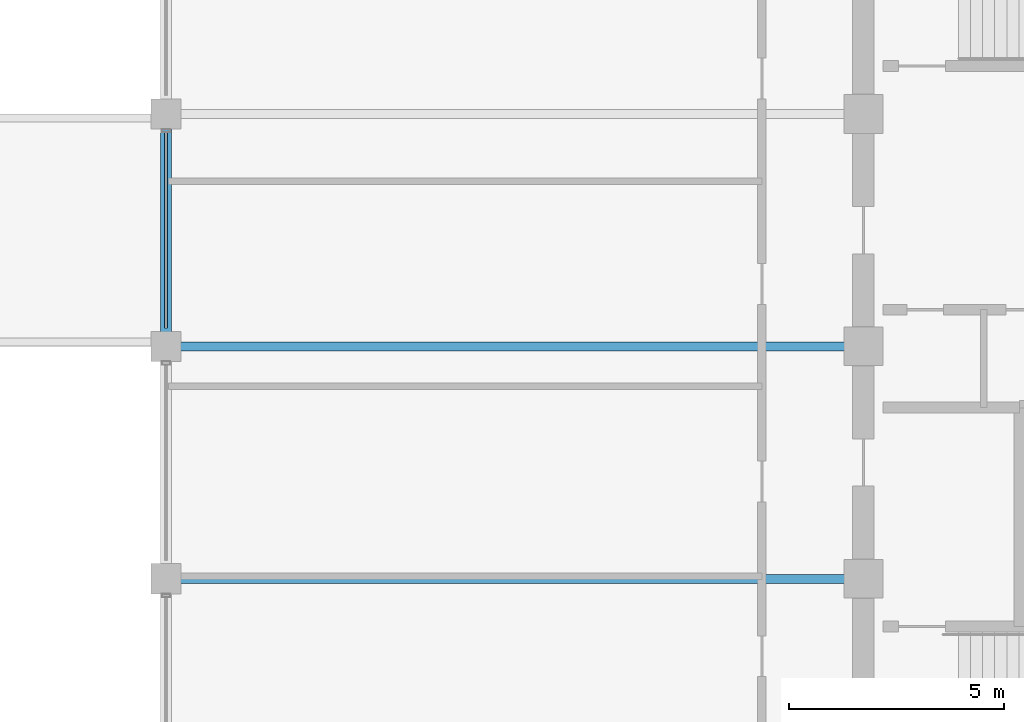
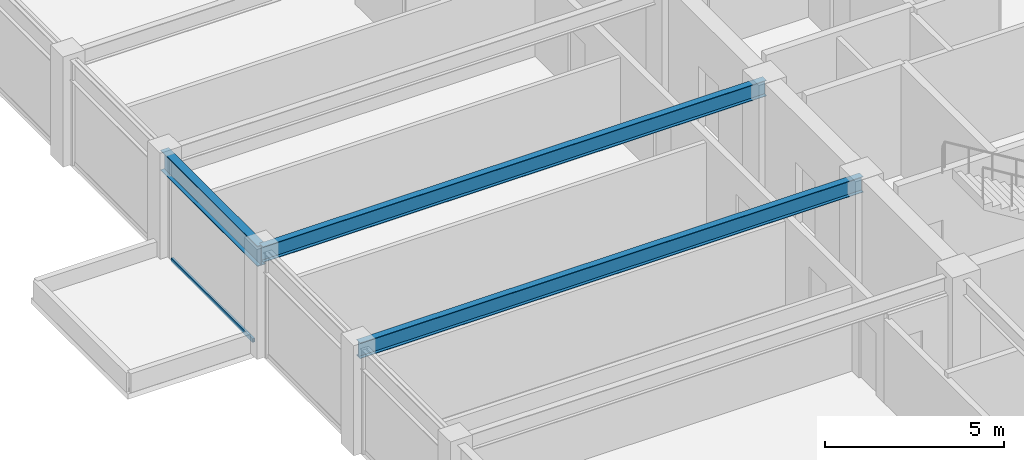
# One storey, part 7 of 29: 3 beams, 1 member, 1 element without a shape of its own.
"""IFC4 building model written with IfcOpenShell, lengths in metres."""

import ifcopenshell
import ifcopenshell.guid

model = None  # the IFC model being written
_history = None  # IfcOwnerHistory: only IFC2X3 demands one
_inside = {}  # id of a spatial element -> (the spatial element, [elements in it])
_under = {}  # id of a project, library or spatial element -> (it, [spatial elements below it])
_declared = {}  # id of a project -> (the project, [libraries it declares])
_typed = {}  # id of a type object -> (the type object, [elements of that type])
_made_of = {}  # id of a material, layer set ... -> (it, [elements and type objects made of it])


def new_model(schema):
    """Start an empty IFC model of exactly this schema.

    Asked for "IFC4X3", IfcOpenShell would pick the latest addendum, in which some entities
    have other attributes; the version numbers below select the first issue.
    IFC2X3 requires an IfcOwnerHistory on every rooted entity: one is made here for all.
    """
    global model, _history
    if schema == "IFC4X3":
        model = ifcopenshell.file(schema_version=(4, 3, 0, 0))
    else:
        model = ifcopenshell.file(schema=schema)
    _inside.clear()
    _under.clear()
    _declared.clear()
    _typed.clear()
    _made_of.clear()
    _history = None
    if model.schema == "IFC2X3":
        org = make("IfcOrganization", Name="unknown")
        user = make(
            "IfcPersonAndOrganization",
            ThePerson=make("IfcPerson", FamilyName="unknown"),
            TheOrganization=org,
        )
        app = make(
            "IfcApplication",
            ApplicationDeveloper=org,
            Version="unknown",
            ApplicationFullName="unknown",
            ApplicationIdentifier="unknown",
        )
        _history = make(
            "IfcOwnerHistory",
            OwningUser=user,
            OwningApplication=app,
            ChangeAction="ADDED",
            CreationDate=0,
        )
    return model


def make(cls, **values):
    """One entity of the class cls with the attributes given. An attribute that is None is left unset."""
    return model.create_entity(
        cls, **{name: value for name, value in values.items() if value is not None}
    )


def rooted(cls, **values):
    """An entity with a GlobalId (a new one), such as an element, a storey or a relation."""
    return make(cls, GlobalId=ifcopenshell.guid.new(), OwnerHistory=_history, **values)


def si_unit(unit_type, name, prefix=None):
    """IfcSIUnit, for example si_unit("LENGTHUNIT", "METRE", prefix="MILLI")."""
    return make("IfcSIUnit", UnitType=unit_type, Prefix=prefix, Name=name)


def assignment(units):
    """IfcUnitAssignment: the units of a project."""
    return None if units is None else make("IfcUnitAssignment", Units=units)


def point(xyz):
    """IfcCartesianPoint."""
    return None if xyz is None else make("IfcCartesianPoint", Coordinates=xyz)


def direction(xyz):
    """IfcDirection."""
    return None if xyz is None else make("IfcDirection", DirectionRatios=xyz)


def frame(location, z_axis=None, x_axis=None):
    """IfcAxis2Placement3D, a coordinate frame: its origin and axes. An axis left out is left unset."""
    return make(
        "IfcAxis2Placement3D",
        Location=point(location),
        Axis=direction(z_axis),
        RefDirection=direction(x_axis),
    )


def frame_2d(location, x_axis=None):
    """IfcAxis2Placement2D, a coordinate frame in the plane: its origin and x axis."""
    return make(
        "IfcAxis2Placement2D", Location=point(location), RefDirection=direction(x_axis)
    )


def origin():
    """The frame at (0, 0, 0) with its axes left unset."""
    return frame((0.0, 0.0, 0.0))


def origin_2d():
    """The frame at (0, 0) in the plane with its x axis left unset."""
    return frame_2d((0.0, 0.0))


def place(relative_to, where):
    """IfcLocalPlacement: puts the frame where relative to a parent placement (None: the world)."""
    return make(
        "IfcLocalPlacement", PlacementRelTo=relative_to, RelativePlacement=where
    )


def context(
    kind, dimensions, precision=None, world=None, true_north=None, identifier=None
):
    """IfcGeometricRepresentationContext, for example the 3D "Model" context."""
    return make(
        "IfcGeometricRepresentationContext",
        ContextIdentifier=identifier,
        ContextType=kind,
        CoordinateSpaceDimension=dimensions,
        Precision=precision,
        WorldCoordinateSystem=world,
        TrueNorth=true_north,
    )


def subcontext(parent, identifier, kind, view, scale=None):
    """IfcGeometricRepresentationSubContext, for example "Body" below "Model"."""
    return make(
        "IfcGeometricRepresentationSubContext",
        ContextIdentifier=identifier,
        ContextType=kind,
        ParentContext=parent,
        TargetScale=scale,
        TargetView=view,
    )


def project(units=None, contexts=None):
    """IfcProject with its units and contexts."""
    return rooted(
        "IfcProject",
        Name="project",
        RepresentationContexts=contexts,
        UnitsInContext=assignment(units),
    )


def spatial(cls, under=None, at=None, **own):
    """A site, building, storey or space (cls), placed at a placement, below another one or the project."""
    s = rooted(cls, ObjectPlacement=at, **own)
    if under is not None:
        _under.setdefault(under.id(), (under, []))[1].append(s)
    return s


def profile(cls, at=None, kind="AREA", **sizes):
    """A parametric profile (cls). Its sizes go by their IFC names, for example OverallWidth=200.0."""
    return make(cls, ProfileType=kind, Position=at, **sizes)


def hollow_rectangle(**sizes):
    """IfcRectangleHollowProfileDef."""
    return profile("IfcRectangleHollowProfileDef", **sizes)


def i_section(**sizes):
    """IfcIShapeProfileDef."""
    return profile("IfcIShapeProfileDef", **sizes)


def extrude(swept, where, along, depth):
    """IfcExtrudedAreaSolid: the profile swept, set in the frame where, extruded along a direction by depth."""
    return make(
        "IfcExtrudedAreaSolid",
        SweptArea=swept,
        Position=where,
        ExtrudedDirection=direction(along),
        Depth=depth,
    )


def shape(context_of_items, identifier, shape_type, items):
    """IfcShapeRepresentation: the items that make up one representation, for example the "Body"."""
    return make(
        "IfcShapeRepresentation",
        ContextOfItems=context_of_items,
        RepresentationIdentifier=identifier,
        RepresentationType=shape_type,
        Items=items,
    )


def material(Name=None, Category=None):
    """IfcMaterial."""
    return make("IfcMaterial", Name=Name, Category=Category)


def layer(
    of_material, thickness, ventilated=None, Name=None, Category=None, Priority=None
):
    """IfcMaterialLayer: one layer of a wall or slab, of a material (None: an air gap)."""
    return make(
        "IfcMaterialLayer",
        Material=of_material,
        LayerThickness=thickness,
        IsVentilated=ventilated,
        Name=Name,
        Category=Category,
        Priority=Priority,
    )


def layer_set(layers, Name=None):
    """IfcMaterialLayerSet."""
    return make("IfcMaterialLayerSet", MaterialLayers=layers, LayerSetName=Name)


def material_profile(
    of_material, cross_section, Name=None, Category=None, Priority=None
):
    """IfcMaterialProfile: a cross section and its material."""
    return make(
        "IfcMaterialProfile",
        Name=Name,
        Material=of_material,
        Profile=cross_section,
        Priority=Priority,
        Category=Category,
    )


def profile_set(profiles, Name=None, composite=None):
    """IfcMaterialProfileSet."""
    return make(
        "IfcMaterialProfileSet",
        Name=Name,
        MaterialProfiles=profiles,
        CompositeProfile=composite,
    )


def made_of(thing, what):
    """Note that an element or type object is made of a material, layer set ...; save() writes the relation."""
    if what is not None:
        _made_of.setdefault(what.id(), (what, []))[1].append(thing)
    return thing


def type_object(cls, material=None, **own):
    """A type object (cls), such as IfcWallType, which elements share."""
    return made_of(rooted(cls, **own), material)


def element(
    cls,
    number,
    at=None,
    inside=None,
    cuts=None,
    type_object=None,
    material=None,
    context=None,
    identifier="Body",
    shape_type=None,
    held_by="IfcProductDefinitionShape",
    body=None,
    shapes=None,
    **own,
):
    """One element of the class cls, such as IfcWall. Its Tag is "e" and its number.

    at: its placement. inside: the storey or other place that contains it. cuts: it is an
    opening in that element (IfcRelVoidsElement). A single representation is given by context,
    identifier, shape_type and body (its items); several are given by shapes. held_by: the class
    of the entity that holds the representations. save() writes the other relations.
    """
    e = rooted(cls, Tag="e%d" % number, ObjectPlacement=at, **own)
    if body is not None:
        shapes = [shape(context, identifier, shape_type, body)]
    if shapes is not None:
        e.Representation = make(held_by, Representations=shapes)
    if inside is not None:
        _inside.setdefault(inside.id(), (inside, []))[1].append(e)
    if cuts is not None:
        rooted(
            "IfcRelVoidsElement", RelatingBuildingElement=cuts, RelatedOpeningElement=e
        )
    if type_object is not None:
        _typed.setdefault(type_object.id(), (type_object, []))[1].append(e)
    return made_of(e, material)


def aggregate(whole, parts):
    """IfcRelAggregates: a whole, such as a stair, and the parts it consists of."""
    return rooted("IfcRelAggregates", RelatingObject=whole, RelatedObjects=parts)


def save(model, path):
    """Write the relations noted so far, then the file.

    IfcRelAggregates (storeys below a building ...), IfcRelContainedInSpatialStructure (elements
    in a storey), IfcRelDefinesByType, IfcRelAssociatesMaterial and IfcRelDeclares: one each for
    every whole, place, type object, material and project.
    """
    for whole, parts in _under.values():
        aggregate(whole, parts)
    for where, things in _inside.values():
        rooted(
            "IfcRelContainedInSpatialStructure",
            RelatedElements=things,
            RelatingStructure=where,
        )
    for kind, things in _typed.values():
        rooted("IfcRelDefinesByType", RelatedObjects=things, RelatingType=kind)
    for what, things in _made_of.values():
        rooted("IfcRelAssociatesMaterial", RelatedObjects=things, RelatingMaterial=what)
    for by, libraries in _declared.values():
        rooted("IfcRelDeclares", RelatingContext=by, RelatedDefinitions=libraries)
    model.write(path)


model = new_model("IFC4")

# Units and contexts
model_context = context("Model", 3, precision=1e-05, world=origin(), true_north=direction((0.0, 1.0)))
body_context = subcontext(model_context, "Body", "Model", "MODEL_VIEW")
ifc_project = project(units=[si_unit("LENGTHUNIT", "METRE"), si_unit("AREAUNIT", "SQUARE_METRE"), si_unit("VOLUMEUNIT", "CUBIC_METRE"), si_unit("PLANEANGLEUNIT", "RADIAN"), si_unit("MASSUNIT", "GRAM", prefix="KILO")], contexts=[model_context])

# Site, building, storey
site_placement = place(None, origin())
site = spatial("IfcSite", under=ifc_project, at=site_placement, CompositionType="ELEMENT")
building_placement = place(site_placement, origin())
building = spatial("IfcBuilding", under=site, at=building_placement, Name="Surkhivell Harbour Commons", CompositionType="ELEMENT")
storey_placement = place(building_placement, frame((0.0, 0.0, 326.25)))
storey = spatial("IfcBuildingStorey", under=building, at=storey_placement, Name="L85", CompositionType="ELEMENT", Elevation=326.25)

# Beams
ifc_material_1 = material(Name="Steel S355", Category="steel")
ifc_material_profile_1 = material_profile(ifc_material_1, i_section(OverallWidth=0.2099609375, OverallDepth=0.537109375, WebThickness=0.0107421875, FlangeThickness=0.017333984375, at=origin_2d()), Name="UB533x210x101")
ifc_profile_set_1 = profile_set([ifc_material_profile_1], Name="Steel S355")
beam_type_1 = type_object("IfcBeamType", Name="BM-GRD-533B", PredefinedType="BEAM", material=ifc_profile_set_1)
for number, where, z_axis, x_axis, name in (
    (1, (-27.0, -5.39990234375, 3.301513671875), (1.0, 0.0, 0.0), (0.0, 1.0, 0.0), "L85 Floor Girder (-27.0,-5.4)"),
    (2, (-27.0, 0.0, 3.301513671875), (1.0, 0.0, 0.0), (0.0, 1.0, 0.0), "L85 Floor Girder (-27.0,0.0)"),
):
    element("IfcBeam", number, at=place(storey_placement, frame(where, z_axis=z_axis, x_axis=x_axis)), inside=storey, type_object=beam_type_1, Name=name, PredefinedType="BEAM", context=body_context, shape_type="SweptSolid", body=[
        extrude(i_section(OverallWidth=0.2099609375, OverallDepth=0.537109375, WebThickness=0.0107421875, FlangeThickness=0.017333984375, at=origin_2d()), origin(), (0.0, 0.0, 1.0), 16.199951171875),
    ])
ifc_material_profile_2 = material_profile(ifc_material_1, i_section(OverallWidth=0.256103515625, OverallDepth=0.693115234375, WebThickness=0.014404296875, FlangeThickness=0.023681640625, at=origin_2d()), Name="UB686x254x170")
ifc_profile_set_2 = profile_set([ifc_material_profile_2], Name="Steel S355")
beam_type_2 = type_object("IfcBeamType", Name="BM-SPN-686", PredefinedType="SPANDREL", material=ifc_profile_set_2)
beam_placement = place(storey_placement, frame((-27.0, 0.0, 3.223388671875), z_axis=(0.0, 1.0, 0.0), x_axis=(-1.0, 0.0, 0.0)))
element("IfcBeam", 3, at=beam_placement, inside=storey, type_object=beam_type_2, Name="L85 Tube Spandrel (-27.0,0.0)", PredefinedType="SPANDREL", context=body_context, shape_type="SweptSolid", body=[
    extrude(i_section(OverallWidth=0.256103515625, OverallDepth=0.693115234375, WebThickness=0.014404296875, FlangeThickness=0.023681640625, at=origin_2d()), origin(), (0.0, 0.0, 1.0), 5.39990234375),
])

# Curtain wall, member
ifc_material_2 = material(Name="Anodised pale-metal aluminium and insulated glazing", Category="aluminium")
ifc_layer = layer(ifc_material_2, 0.175048828125)
ifc_layer_set = layer_set([ifc_layer], Name="Anodised pale-metal aluminium and insulated glazing")
curtain_wall_type = type_object("IfcCurtainWallType", Name="CW-SYS-Z4", PredefinedType="NOTDEFINED", material=ifc_layer_set)
curtain_wall_placement = place(storey_placement, origin())
curtain_wall = element("IfcCurtainWall", 4, at=curtain_wall_placement, inside=storey, type_object=curtain_wall_type, Name="L85 Curtain Wall CW-L85-E12S1", PredefinedType="NOTDEFINED")
ifc_material_3 = material(Name="Champagne anodised aluminium alloy 6063-T6", Category="aluminium")
ifc_material_profile_3 = material_profile(ifc_material_3, hollow_rectangle(XDim=0.070068359375, YDim=0.1298828125, WallThickness=0.00341796875, at=origin_2d()), Name="ALU-TRAN-70x130")
ifc_profile_set_3 = profile_set([ifc_material_profile_3], Name="Champagne anodised aluminium alloy 6063-T6")
member_type = type_object("IfcMemberType", Name="CWT-130", PredefinedType="USERDEFINED", material=ifc_profile_set_3)
member_placement = place(storey_placement, frame((-27.0, 4.972900390625, 0.06494140625), z_axis=(0.0, -1.0, 0.0), x_axis=(1.0, 0.0, 0.0)))
member = element("IfcMember", 5, at=member_placement, type_object=member_type, Name="CW-Z4 transom 4.1", ObjectType="TRANSOM", PredefinedType="USERDEFINED", context=body_context, shape_type="SweptSolid", body=[
    extrude(hollow_rectangle(XDim=0.070068359375, YDim=0.1298828125, WallThickness=0.00341796875, at=origin_2d()), origin(), (0.0, 0.0, 1.0), 4.5458984375),
])
aggregate(curtain_wall, [member])

save(model, "model.ifc")
